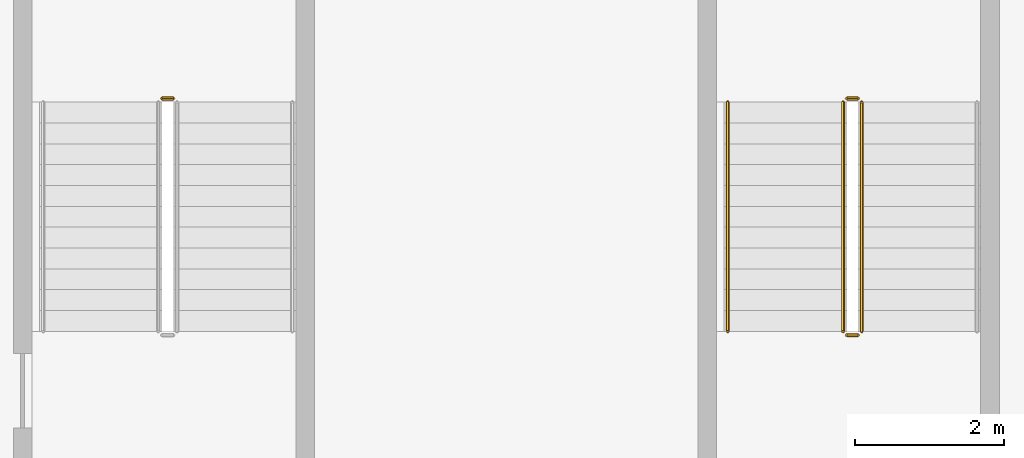
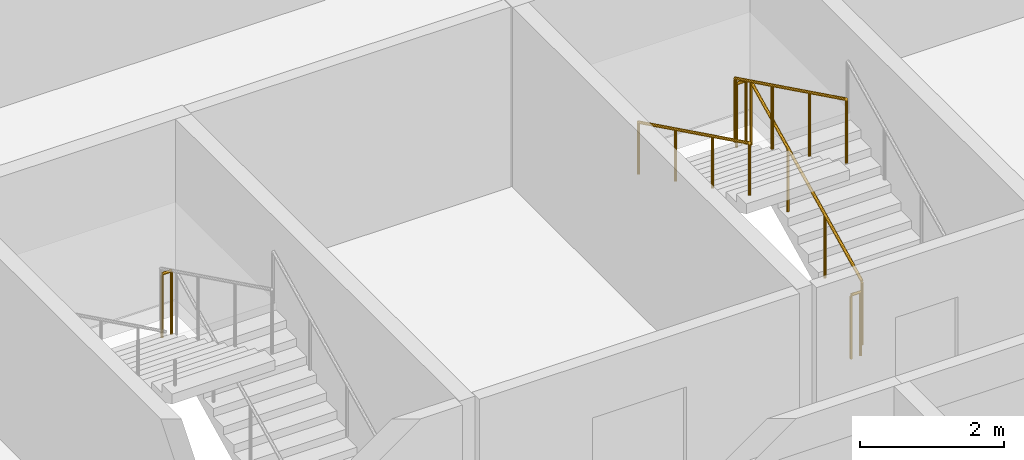
# One storey, part 13 of 18: 6 railings.
"""IFC4 building model written with IfcOpenShell, lengths in metres."""

from ifc_helpers import new_model, si_unit, direction, frame, origin, origin_2d, place, context, subcontext, project, spatial, circle, extrude, material, type_object, element, save


model = new_model("IFC4")

# Units and contexts
model_context = context("Model", 3, precision=1e-05, world=origin(), true_north=direction((0.0, 1.0)))
body_context = subcontext(model_context, "Body", "Model", "MODEL_VIEW")
ifc_project = project(units=[si_unit("LENGTHUNIT", "METRE"), si_unit("AREAUNIT", "SQUARE_METRE"), si_unit("VOLUMEUNIT", "CUBIC_METRE"), si_unit("PLANEANGLEUNIT", "RADIAN"), si_unit("MASSUNIT", "GRAM", prefix="KILO")], contexts=[model_context])

# Site, building, storey
site_placement = place(None, origin())
site = spatial("IfcSite", under=ifc_project, at=site_placement, CompositionType="ELEMENT")
building_placement = place(site_placement, origin())
building = spatial("IfcBuilding", under=site, at=building_placement, Name="Poui Terraces", CompositionType="ELEMENT")
storey_placement = place(building_placement, frame((0.0, 0.0, 285.60009765625)))
storey = spatial("IfcBuildingStorey", under=building, at=storey_placement, Name="L79 CROWN", CompositionType="ELEMENT", Elevation=285.60009765625)

# Railings
ifc_material_1 = material(Name="Galvanised steel balustrade", Category="steel")
railing_type_1 = type_object("IfcRailingType", Name="STAIR GUARD 1100", PredefinedType="GUARDRAIL", material=ifc_material_1)
railing_1_placement = place(storey_placement, frame((32.074951171875, 16.60009765625, 0.137451171875)))
element("IfcRailing", 1, at=railing_1_placement, inside=storey, type_object=railing_type_1, Name="L79 CROWN ST-CW stair guard 1", PredefinedType="GUARDRAIL", context=body_context, shape_type="SweptSolid", body=[
    extrude(circle(Radius=0.02392578125, at=origin_2d()), frame((0.0, 0.0, 1.076171875), z_axis=(0.0, 0.897606190399, 0.440798283751), x_axis=(-1.0, 0.0, 0.0)), (0.0, 0.0, 1.0), 3.43115234375),
    extrude(circle(Radius=0.02099609375, at=origin_2d()), origin(), (0.0, 0.0, 1.0), 1.052001953125),
    extrude(circle(Radius=0.02099609375, at=origin_2d()), frame((0.0, 1.026611328125, 0.504150390625)), (0.0, 0.0, 1.0), 1.052001953125),
    extrude(circle(Radius=0.02099609375, at=origin_2d()), frame((0.0, 2.05322265625, 1.00830078125)), (0.0, 0.0, 1.0), 1.052001953125),
    extrude(circle(Radius=0.02099609375, at=origin_2d()), frame((0.0, 3.079833984375, 1.512451171875)), (0.0, 0.0, 1.0), 1.052001953125),
])
railing_2_placement = place(storey_placement, frame((32.02490234375, 19.72998046875, 1.64990234375)))
element("IfcRailing", 2, at=railing_2_placement, inside=storey, type_object=railing_type_1, Name="L79 CROWN ST-CW stair guard 2", PredefinedType="GUARDRAIL", context=body_context, shape_type="SweptSolid", body=[
    extrude(circle(Radius=0.02392578125, at=origin_2d()), frame((0.0, 0.0, 1.076171875), z_axis=(-1.0, 0.0, 0.0), x_axis=(0.0, -1.0, 0.0)), (0.0, 0.0, 1.0), 0.14990234375),
    extrude(circle(Radius=0.02099609375, at=origin_2d()), origin(), (0.0, 0.0, 1.0), 1.052001953125),
    extrude(circle(Radius=0.02099609375, at=origin_2d()), frame((-0.14990234375, 0.0, 0.0)), (0.0, 0.0, 1.0), 1.052001953125),
])
railing_3_placement = place(storey_placement, frame((31.824951171875, 19.679931640625, 1.787353515625)))
element("IfcRailing", 3, at=railing_3_placement, inside=storey, type_object=railing_type_1, Name="L79 CROWN ST-CW stair guard 3", PredefinedType="GUARDRAIL", context=body_context, shape_type="SweptSolid", body=[
    extrude(circle(Radius=0.02392578125, at=origin_2d()), frame((0.0, 0.0, 1.076171875), z_axis=(0.0, -0.897606190399, 0.440798283751), x_axis=(1.0, 0.0, 0.0)), (0.0, 0.0, 1.0), 3.43115234375),
    extrude(circle(Radius=0.02099609375, at=origin_2d()), origin(), (0.0, 0.0, 1.0), 1.052001953125),
    extrude(circle(Radius=0.02099609375, at=origin_2d()), frame((0.0, -1.026611328125, 0.504150390625)), (0.0, 0.0, 1.0), 1.052001953125),
    extrude(circle(Radius=0.02099609375, at=origin_2d()), frame((0.0, -2.05322265625, 1.00830078125)), (0.0, 0.0, 1.0), 1.052001953125),
    extrude(circle(Radius=0.02099609375, at=origin_2d()), frame((0.0, -3.079833984375, 1.512451171875)), (0.0, 0.0, 1.0), 1.052001953125),
])
for number, where, name in (
    (4, (32.02490234375, 16.550048828125, 0.0), "L79 CROWN ST-CW stair guard 4"),
    (5, (22.824951171875, 19.72998046875, 1.64990234375), "L79 CROWN ST-W stair guard 2"),
):
    element("IfcRailing", number, at=place(storey_placement, frame(where)), inside=storey, type_object=railing_type_1, Name=name, PredefinedType="GUARDRAIL", context=body_context, shape_type="SweptSolid", body=[
        extrude(circle(Radius=0.02392578125, at=origin_2d()), frame((0.0, 0.0, 1.076171875), z_axis=(-1.0, 0.0, 0.0), x_axis=(0.0, -1.0, 0.0)), (0.0, 0.0, 1.0), 0.14990234375),
        extrude(circle(Radius=0.02099609375, at=origin_2d()), origin(), (0.0, 0.0, 1.0), 1.052001953125),
        extrude(circle(Radius=0.02099609375, at=origin_2d()), frame((-0.14990234375, 0.0, 0.0)), (0.0, 0.0, 1.0), 1.052001953125),
    ])
ifc_material_2 = material(Name="Stainless steel handrail", Category="steel")
railing_type_2 = type_object("IfcRailingType", Name="STAIR HANDRAIL 900", PredefinedType="HANDRAIL", material=ifc_material_2)
railing_4_placement = place(storey_placement, frame((30.27490234375, 19.679931640625, 1.787353515625)))
element("IfcRailing", 6, at=railing_4_placement, inside=storey, type_object=railing_type_2, Name="L79 CROWN ST-CW stair handrail 2", PredefinedType="HANDRAIL", context=body_context, shape_type="SweptSolid", body=[
    extrude(circle(Radius=0.02392578125, at=origin_2d()), frame((0.0, 0.0, 0.8759765625), z_axis=(0.0, -0.897606190399, 0.440798283751), x_axis=(1.0, 0.0, 0.0)), (0.0, 0.0, 1.0), 3.43115234375),
    extrude(circle(Radius=0.02099609375, at=origin_2d()), origin(), (0.0, 0.0, 1.0), 0.851806640625),
    extrude(circle(Radius=0.02099609375, at=origin_2d()), frame((0.0, -1.026611328125, 0.504150390625)), (0.0, 0.0, 1.0), 0.851806640625),
    extrude(circle(Radius=0.02099609375, at=origin_2d()), frame((0.0, -2.05322265625, 1.00830078125)), (0.0, 0.0, 1.0), 0.851806640625),
    extrude(circle(Radius=0.02099609375, at=origin_2d()), frame((0.0, -3.079833984375, 1.512451171875)), (0.0, 0.0, 1.0), 0.851806640625),
])

save(model, "model.ifc")
